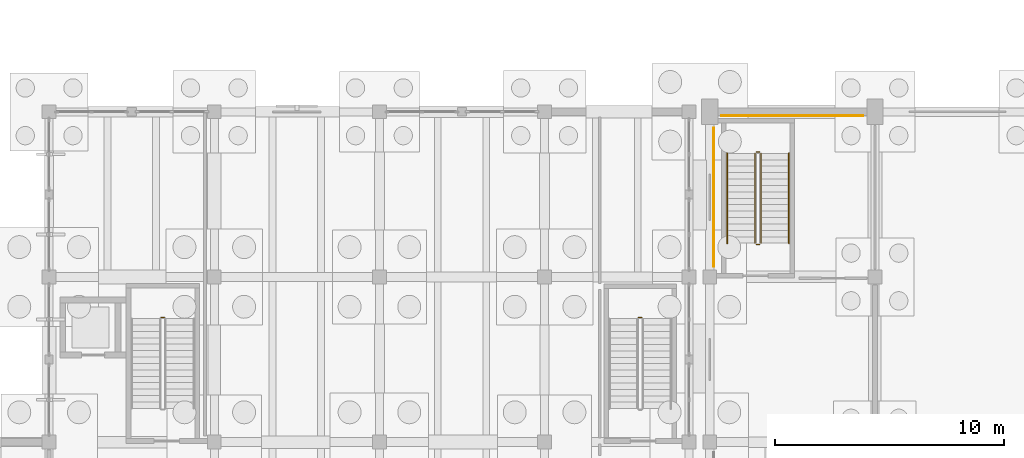
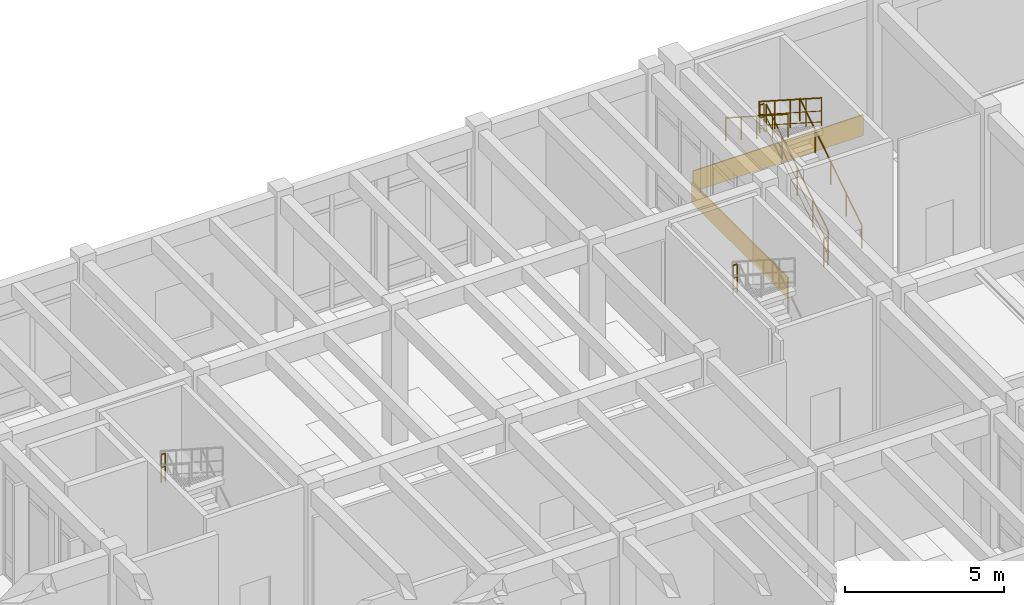
# One storey, part 87 of 93: 8 railings, 2 coverings.
"""IFC4 building model written with IfcOpenShell, lengths in metres."""

from ifc_helpers import new_model, si_unit, direction, frame, origin, origin_2d, place, context, subcontext, project, spatial, rectangle, circle, extrude, material, layer, layer_set, type_object, element, save


model = new_model("IFC4")

# Units and contexts
model_context = context("Model", 3, precision=1e-05, world=origin(), true_north=direction((0.0, 1.0)))
body_context = subcontext(model_context, "Body", "Model", "MODEL_VIEW")
ifc_project = project(units=[si_unit("LENGTHUNIT", "METRE"), si_unit("AREAUNIT", "SQUARE_METRE"), si_unit("VOLUMEUNIT", "CUBIC_METRE"), si_unit("PLANEANGLEUNIT", "RADIAN"), si_unit("MASSUNIT", "GRAM", prefix="KILO")], contexts=[model_context])

# Site, building, storey
site_placement = place(None, origin())
site = spatial("IfcSite", under=ifc_project, at=site_placement, CompositionType="ELEMENT")
building_placement = place(site_placement, origin())
building = spatial("IfcBuilding", under=site, at=building_placement, Name="Koriwan Promenade Central Fire Station", CompositionType="ELEMENT")
storey_placement = place(building_placement, origin())
storey = spatial("IfcBuildingStorey", under=building, at=storey_placement, Name="L00", CompositionType="ELEMENT", Elevation=0.0)

# Railings
ifc_material_1 = material(Name="Steel ASTM A500 Grade C", Category="steel")
ifc_layer_1 = layer(ifc_material_1, 0.050048828125, Name="Steel ASTM A500 Grade C")
ifc_layer_set_1 = layer_set([ifc_layer_1], Name="Steel ASTM A500 Grade C")
railing_type_1 = type_object("IfcRailingType", Name="StairGuard_1100", PredefinedType="BALUSTRADE", material=ifc_layer_set_1)
railing_1_placement = place(storey_placement, frame((59.830078125, 66.27001953125, 0.179931640625)))
element("IfcRailing", 1, at=railing_1_placement, inside=storey, type_object=railing_type_1, Name="L00 ST01 stair guard 1", PredefinedType="BALUSTRADE", context=body_context, shape_type="SweptSolid", body=[
    extrude(circle(Radius=0.02392578125, at=origin_2d()), frame((0.0, 0.0, 1.076171875), z_axis=(0.0, 0.841171666519, 0.540768182723), x_axis=(-1.0, 0.0, 0.0)), (0.0, 0.0, 1.0), 4.66015625),
    extrude(circle(Radius=0.012939453125, at=origin_2d()), frame((0.0, 0.0, 0.572021484375), z_axis=(0.0, 0.841171666519, 0.540768182723), x_axis=(-1.0, 0.0, 0.0)), (0.0, 0.0, 1.0), 4.66015625),
    extrude(circle(Radius=0.012939453125, at=origin_2d()), frame((0.0, 0.0, 0.154052734375), z_axis=(0.0, 0.841171666519, 0.540768182723), x_axis=(-1.0, 0.0, 0.0)), (0.0, 0.0, 1.0), 4.66015625),
    extrude(circle(Radius=0.02099609375, at=origin_2d()), origin(), (0.0, 0.0, 1.0), 1.052001953125),
    extrude(circle(Radius=0.02099609375, at=origin_2d()), frame((0.0, 0.97998046875, 0.6298828125)), (0.0, 0.0, 1.0), 1.052001953125),
    extrude(circle(Radius=0.02099609375, at=origin_2d()), frame((0.0, 1.9599609375, 1.260009765625)), (0.0, 0.0, 1.0), 1.052001953125),
    extrude(circle(Radius=0.02099609375, at=origin_2d()), frame((0.0, 2.93994140625, 1.89013671875)), (0.0, 0.0, 1.0), 1.052001953125),
    extrude(circle(Radius=0.02099609375, at=origin_2d()), frame((0.0, 3.919921875, 2.52001953125)), (0.0, 0.0, 1.0), 1.052001953125),
])
railing_2_placement = place(storey_placement, frame((59.780029296875, 70.239990234375, 2.699951171875)))
element("IfcRailing", 2, at=railing_2_placement, inside=storey, type_object=railing_type_1, Name="L00 ST01 stair guard 2", PredefinedType="BALUSTRADE", context=body_context, shape_type="SweptSolid", body=[
    extrude(circle(Radius=0.02392578125, at=origin_2d()), frame((0.0, 0.0, 1.076171875), z_axis=(-1.0, 0.0, 0.0), x_axis=(0.0, -1.0, 0.0)), (0.0, 0.0, 1.0), 0.150146484375),
    extrude(circle(Radius=0.012939453125, at=origin_2d()), frame((0.0, 0.0, 0.572021484375), z_axis=(-1.0, 0.0, 0.0), x_axis=(0.0, -1.0, 0.0)), (0.0, 0.0, 1.0), 0.150146484375),
    extrude(circle(Radius=0.012939453125, at=origin_2d()), frame((0.0, 0.0, 0.154052734375), z_axis=(-1.0, 0.0, 0.0), x_axis=(0.0, -1.0, 0.0)), (0.0, 0.0, 1.0), 0.150146484375),
    extrude(circle(Radius=0.02099609375, at=origin_2d()), origin(), (0.0, 0.0, 1.0), 1.052001953125),
    extrude(circle(Radius=0.02099609375, at=origin_2d()), frame((-0.150146484375, 0.0, 0.0)), (0.0, 0.0, 1.0), 1.052001953125),
])
railing_3_placement = place(storey_placement, frame((59.580078125, 70.18994140625, 2.8798828125)))
element("IfcRailing", 3, at=railing_3_placement, inside=storey, type_object=railing_type_1, Name="L00 ST01 stair guard 3", PredefinedType="BALUSTRADE", context=body_context, shape_type="SweptSolid", body=[
    extrude(circle(Radius=0.02392578125, at=origin_2d()), frame((0.0, 0.0, 1.076171875), z_axis=(0.0, -0.841171666519, 0.540768182723), x_axis=(1.0, 0.0, 0.0)), (0.0, 0.0, 1.0), 4.66015625),
    extrude(circle(Radius=0.012939453125, at=origin_2d()), frame((0.0, 0.0, 0.572021484375), z_axis=(0.0, -0.841171666519, 0.540768182723), x_axis=(1.0, 0.0, 0.0)), (0.0, 0.0, 1.0), 4.66015625),
    extrude(circle(Radius=0.012939453125, at=origin_2d()), frame((0.0, 0.0, 0.154052734375), z_axis=(0.0, -0.841171666519, 0.540768182723), x_axis=(1.0, 0.0, 0.0)), (0.0, 0.0, 1.0), 4.66015625),
    extrude(circle(Radius=0.02099609375, at=origin_2d()), origin(), (0.0, 0.0, 1.0), 1.052001953125),
    extrude(circle(Radius=0.02099609375, at=origin_2d()), frame((0.0, -0.97998046875, 0.6298828125)), (0.0, 0.0, 1.0), 1.052001953125),
    extrude(circle(Radius=0.02099609375, at=origin_2d()), frame((0.0, -1.9599609375, 1.260009765625)), (0.0, 0.0, 1.0), 1.052001953125),
    extrude(circle(Radius=0.02099609375, at=origin_2d()), frame((0.0, -2.93994140625, 1.89013671875)), (0.0, 0.0, 1.0), 1.052001953125),
    extrude(circle(Radius=0.02099609375, at=origin_2d()), frame((0.0, -3.919921875, 2.52001953125)), (0.0, 0.0, 1.0), 1.052001953125),
])
for number, where, name in (
    (4, (59.780029296875, 66.219970703125, 0.0), "L00 ST01 stair guard 4"),
    (5, (33.830078125, 63.0400390625, 2.699951171875), "L00 ST18 stair guard 2"),
):
    element("IfcRailing", number, at=place(storey_placement, frame(where)), inside=storey, type_object=railing_type_1, Name=name, PredefinedType="BALUSTRADE", context=body_context, shape_type="SweptSolid", body=[
        extrude(circle(Radius=0.02392578125, at=origin_2d()), frame((0.0, 0.0, 1.076171875), z_axis=(-1.0, 0.0, 0.0), x_axis=(0.0, -1.0, 0.0)), (0.0, 0.0, 1.0), 0.150146484375),
        extrude(circle(Radius=0.012939453125, at=origin_2d()), frame((0.0, 0.0, 0.572021484375), z_axis=(-1.0, 0.0, 0.0), x_axis=(0.0, -1.0, 0.0)), (0.0, 0.0, 1.0), 0.150146484375),
        extrude(circle(Radius=0.012939453125, at=origin_2d()), frame((0.0, 0.0, 0.154052734375), z_axis=(-1.0, 0.0, 0.0), x_axis=(0.0, -1.0, 0.0)), (0.0, 0.0, 1.0), 0.150146484375),
        extrude(circle(Radius=0.02099609375, at=origin_2d()), origin(), (0.0, 0.0, 1.0), 1.052001953125),
        extrude(circle(Radius=0.02099609375, at=origin_2d()), frame((-0.150146484375, 0.0, 0.0)), (0.0, 0.0, 1.0), 1.052001953125),
    ])
railing_4_placement = place(storey_placement, frame((54.639892578125, 63.030029296875, 2.699951171875)))
element("IfcRailing", 6, at=railing_4_placement, inside=storey, type_object=railing_type_1, Name="L00 ST20 stair guard 2", PredefinedType="BALUSTRADE", context=body_context, shape_type="SweptSolid", body=[
    extrude(circle(Radius=0.02392578125, at=origin_2d()), frame((0.0, 0.0, 1.076171875), z_axis=(-1.0, 0.0, 0.0), x_axis=(0.0, -1.0, 0.0)), (0.0, 0.0, 1.0), 0.14990234375),
    extrude(circle(Radius=0.012939453125, at=origin_2d()), frame((0.0, 0.0, 0.572021484375), z_axis=(-1.0, 0.0, 0.0), x_axis=(0.0, -1.0, 0.0)), (0.0, 0.0, 1.0), 0.14990234375),
    extrude(circle(Radius=0.012939453125, at=origin_2d()), frame((0.0, 0.0, 0.154052734375), z_axis=(-1.0, 0.0, 0.0), x_axis=(0.0, -1.0, 0.0)), (0.0, 0.0, 1.0), 0.14990234375),
    extrude(circle(Radius=0.02099609375, at=origin_2d()), origin(), (0.0, 0.0, 1.0), 1.052001953125),
    extrude(circle(Radius=0.02099609375, at=origin_2d()), frame((-0.14990234375, 0.0, 0.0)), (0.0, 0.0, 1.0), 1.052001953125),
])
ifc_material_2 = material(Name="Stainless steel 316 tubular handrail", Category="steel")
ifc_layer_2 = layer(ifc_material_2, 0.048095703125, Name="Stainless steel 316 tubular handrail")
ifc_layer_set_2 = layer_set([ifc_layer_2], Name="Stainless steel 316 tubular handrail")
railing_type_2 = type_object("IfcRailingType", Name="StairHandrail_900", PredefinedType="HANDRAIL", material=ifc_layer_set_2)
railing_5_placement = place(storey_placement, frame((61.050048828125, 66.27001953125, 0.179931640625)))
element("IfcRailing", 7, at=railing_5_placement, inside=storey, type_object=railing_type_2, Name="L00 ST01 stair handrail 1", PredefinedType="HANDRAIL", context=body_context, shape_type="SweptSolid", body=[
    extrude(circle(Radius=0.02392578125, at=origin_2d()), frame((0.0, 0.0, 0.8759765625), z_axis=(0.0, 0.841171666519, 0.540768182723), x_axis=(-1.0, 0.0, 0.0)), (0.0, 0.0, 1.0), 4.66015625),
    extrude(circle(Radius=0.02099609375, at=origin_2d()), origin(), (0.0, 0.0, 1.0), 0.851806640625),
    extrude(circle(Radius=0.02099609375, at=origin_2d()), frame((0.0, 0.97998046875, 0.6298828125)), (0.0, 0.0, 1.0), 0.851806640625),
    extrude(circle(Radius=0.02099609375, at=origin_2d()), frame((0.0, 1.9599609375, 1.260009765625)), (0.0, 0.0, 1.0), 0.851806640625),
    extrude(circle(Radius=0.02099609375, at=origin_2d()), frame((0.0, 2.93994140625, 1.89013671875)), (0.0, 0.0, 1.0), 0.851806640625),
    extrude(circle(Radius=0.02099609375, at=origin_2d()), frame((0.0, 3.919921875, 2.52001953125)), (0.0, 0.0, 1.0), 0.851806640625),
])
railing_6_placement = place(storey_placement, frame((58.360107421875, 70.18994140625, 2.8798828125)))
element("IfcRailing", 8, at=railing_6_placement, inside=storey, type_object=railing_type_2, Name="L00 ST01 stair handrail 2", PredefinedType="HANDRAIL", context=body_context, shape_type="SweptSolid", body=[
    extrude(circle(Radius=0.02392578125, at=origin_2d()), frame((0.0, 0.0, 0.8759765625), z_axis=(0.0, -0.841171666519, 0.540768182723), x_axis=(1.0, 0.0, 0.0)), (0.0, 0.0, 1.0), 4.66015625),
    extrude(circle(Radius=0.02099609375, at=origin_2d()), origin(), (0.0, 0.0, 1.0), 0.851806640625),
    extrude(circle(Radius=0.02099609375, at=origin_2d()), frame((0.0, -0.97998046875, 0.6298828125)), (0.0, 0.0, 1.0), 0.851806640625),
    extrude(circle(Radius=0.02099609375, at=origin_2d()), frame((0.0, -1.9599609375, 1.260009765625)), (0.0, 0.0, 1.0), 0.851806640625),
    extrude(circle(Radius=0.02099609375, at=origin_2d()), frame((0.0, -2.93994140625, 1.89013671875)), (0.0, 0.0, 1.0), 0.851806640625),
    extrude(circle(Radius=0.02099609375, at=origin_2d()), frame((0.0, -3.919921875, 2.52001953125)), (0.0, 0.0, 1.0), 0.851806640625),
])

# Coverings
ifc_material_3 = material(Name="Natural sillar sandstone ashlar", Category="masonry")
ifc_layer_3 = layer(ifc_material_3, 0.0400390625, Name="Natural sillar sandstone ashlar")
ifc_layer_set_3 = layer_set([ifc_layer_3], Name="Natural sillar sandstone ashlar")
covering_type = type_object("IfcCoveringType", Name="WallCladding_Sillar", PredefinedType="CLADDING", material=ifc_layer_set_3)
covering_1_placement = place(storey_placement, frame((61.199951171875, 71.820068359375, 0.02001953125), z_axis=(0.0, 0.0, 1.0), x_axis=(-1.0, 0.0, 0.0)))
element("IfcCovering", 9, at=covering_1_placement, inside=storey, type_object=covering_type, Name="L00 sillar plinth cladding 004", PredefinedType="CLADDING", context=body_context, shape_type="SweptSolid", body=[
    extrude(rectangle(XDim=6.199951171875, YDim=0.0400390625, at=origin_2d()), origin(), (0.0, 0.0, 1.0), 0.800048828125),
])
covering_2_placement = place(storey_placement, frame((57.780029296875, 68.27490234375, 0.02001953125), z_axis=(0.0, 0.0, 1.0), x_axis=(0.0, -1.0, 0.0)))
element("IfcCovering", 10, at=covering_2_placement, inside=storey, type_object=covering_type, Name="L00 sillar plinth cladding 005", PredefinedType="CLADDING", context=body_context, shape_type="SweptSolid", body=[
    extrude(rectangle(XDim=6.050048828125, YDim=0.0400390625, at=origin_2d()), origin(), (0.0, 0.0, 1.0), 0.800048828125),
])

save(model, "model.ifc")
